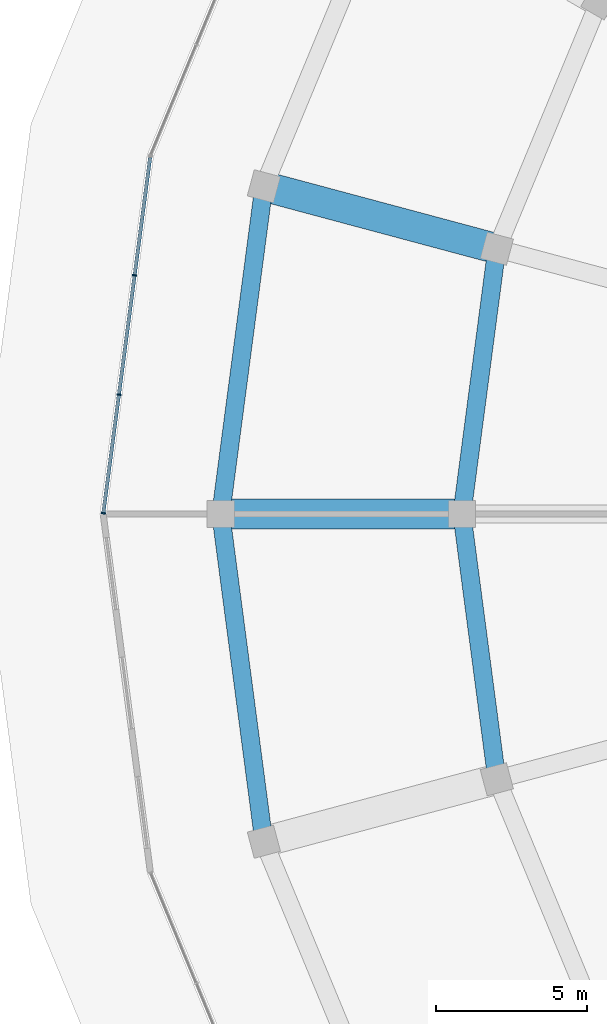
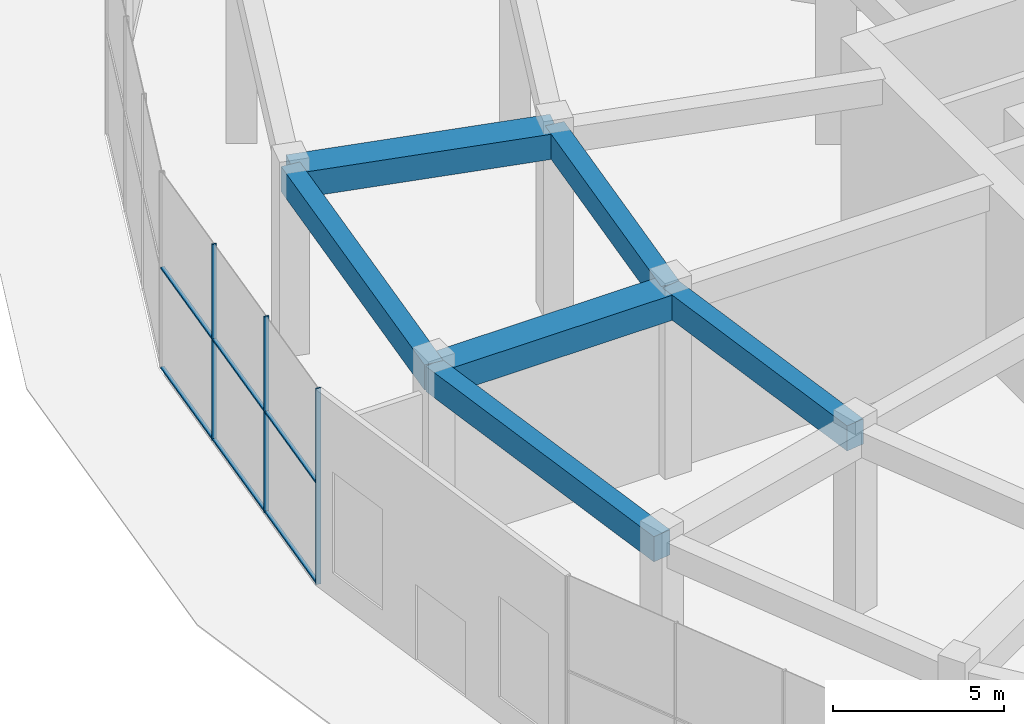
# One storey, part 10 of 31: 9 members, 6 beams, 1 element without a shape of its own.
"""IFC4 building model written with IfcOpenShell, lengths in metres."""

from ifc_helpers import new_model, si_unit, direction, frame, origin, origin_2d, place, context, subcontext, project, spatial, rectangle, extrude, material, layer, layer_set, material_profile, profile_set, type_object, element, aggregate, save


model = new_model("IFC4")

# Units and contexts
model_context = context("Model", 3, precision=1e-05, world=origin(), true_north=direction((0.0, 1.0)))
body_context = subcontext(model_context, "Body", "Model", "MODEL_VIEW")
ifc_project = project(units=[si_unit("LENGTHUNIT", "METRE"), si_unit("AREAUNIT", "SQUARE_METRE"), si_unit("VOLUMEUNIT", "CUBIC_METRE"), si_unit("PLANEANGLEUNIT", "RADIAN"), si_unit("MASSUNIT", "GRAM", prefix="KILO")], contexts=[model_context])

# Site, building, storey
site_placement = place(None, origin())
site = spatial("IfcSite", under=ifc_project, at=site_placement, CompositionType="ELEMENT")
building_placement = place(site_placement, origin())
building = spatial("IfcBuilding", under=site, at=building_placement, Name="Torre Brocal", CompositionType="ELEMENT")
storey_placement = place(building_placement, origin())
storey = spatial("IfcBuildingStorey", under=building, at=storey_placement, Name="L00", CompositionType="ELEMENT", Elevation=0.0)

# Curtain wall, members
ifc_material_1 = material(Name="Aluminium and glass", Category="aluminium")
ifc_layer = layer(ifc_material_1, 0.199951171875)
ifc_layer_set = layer_set([ifc_layer], Name="Aluminium and glass")
curtain_wall_type = type_object("IfcCurtainWallType", Name="CW-3 CURTAIN WALL 7000 HIGH", PredefinedType="NOTDEFINED", material=ifc_layer_set)
curtain_wall_placement = place(storey_placement, origin())
curtain_wall = element("IfcCurtainWall", 1, at=curtain_wall_placement, inside=storey, type_object=curtain_wall_type, Name="CW-3 RUN 12", PredefinedType="NOTDEFINED")
ifc_material_2 = material(Name="Aluminium, dark anodised", Category="aluminium")
ifc_material_profile_1 = material_profile(ifc_material_2, rectangle(XDim=0.14990234375, YDim=0.050048828125, at=origin_2d()), Name="CW-3 MULLION 50X150")
ifc_profile_set_1 = profile_set([ifc_material_profile_1], Name="Aluminium, dark anodised")
member_type_1 = type_object("IfcMemberType", Name="CW-3 MULLION 50X150", PredefinedType="MULLION", material=ifc_profile_set_1)
member_1_placement = place(storey_placement, frame((35.1435546875, 82.919677734375, 0.0), z_axis=(0.0, 0.0, 1.0), x_axis=(0.991444861372, -0.130526192237, 0.0)))
member_1 = element("IfcMember", 2, at=member_1_placement, type_object=member_type_1, Name="CW3-1 mullion 2", PredefinedType="MULLION", context=body_context, shape_type="SweptSolid", body=[
    extrude(rectangle(XDim=0.14990234375, YDim=0.050048828125, at=origin_2d()), origin(), (0.0, 0.0, 1.0), 7.0),
])
member_2_placement = place(storey_placement, frame((34.6220703125, 78.9599609375, 0.0), z_axis=(0.0, 0.0, 1.0), x_axis=(0.991444861372, -0.130526192237, 0.0)))
member_2 = element("IfcMember", 3, at=member_2_placement, type_object=member_type_1, Name="CW3-1 mullion 3", PredefinedType="MULLION", context=body_context, shape_type="SweptSolid", body=[
    extrude(rectangle(XDim=0.14990234375, YDim=0.050048828125, at=origin_2d()), origin(), (0.0, 0.0, 1.0), 7.0),
])
member_3_placement = place(storey_placement, frame((34.104248046875, 75.02490234375, 0.0), z_axis=(0.0, 0.0, 1.0), x_axis=(0.991444861372, -0.130526192237, 0.0)))
member_3 = element("IfcMember", 4, at=member_3_placement, type_object=member_type_1, Name="CW3-1 mullion 4", PredefinedType="MULLION", context=body_context, shape_type="SweptSolid", body=[
    extrude(rectangle(XDim=0.14990234375, YDim=0.050048828125, at=origin_2d()), origin(), (0.0, 0.0, 1.0), 7.0),
])
ifc_material_3 = material(Name="Aluminium, dark anodised", Category="aluminium")
ifc_material_profile_2 = material_profile(ifc_material_3, rectangle(XDim=0.1201171875, YDim=0.06005859375, at=origin_2d()), Name="CW-3 TRANSOM 120X60")
ifc_profile_set_2 = profile_set([ifc_material_profile_2], Name="Aluminium, dark anodised")
member_type_2 = type_object("IfcMemberType", Name="CW-3 TRANSOM 120X60", PredefinedType="USERDEFINED", material=ifc_profile_set_2)
member_4_placement = place(storey_placement, frame((35.658203125, 86.830078125, 0.030029296875), z_axis=(-0.130510914119, -0.991446872654, 0.0), x_axis=(0.991446872654, -0.130510914119, 0.0)))
member_4 = element("IfcMember", 5, at=member_4_placement, type_object=member_type_2, Name="CW3-1 transom 1.1", ObjectType="TRANSOM", PredefinedType="USERDEFINED", context=body_context, shape_type="SweptSolid", body=[
    extrude(rectangle(XDim=0.1201171875, YDim=0.06005859375, at=origin_2d()), origin(), (0.0, 0.0, 1.0), 3.9189453125),
])
member_5_placement = place(storey_placement, frame((35.658203125, 86.830078125, 3.60009765625), z_axis=(-0.130510914119, -0.991446872654, 0.0), x_axis=(0.991446872654, -0.130510914119, 0.0)))
member_5 = element("IfcMember", 6, at=member_5_placement, type_object=member_type_2, Name="CW3-1 transom 1.2", ObjectType="TRANSOM", PredefinedType="USERDEFINED", context=body_context, shape_type="SweptSolid", body=[
    extrude(rectangle(XDim=0.1201171875, YDim=0.06005859375, at=origin_2d()), origin(), (0.0, 0.0, 1.0), 3.9189453125),
])
member_6_placement = place(storey_placement, frame((35.14013671875, 82.89501953125, 0.030029296875), z_axis=(-0.130484935729, -0.991450292021, 0.0), x_axis=(0.991450292021, -0.130484935729, 0.0)))
member_6 = element("IfcMember", 7, at=member_6_placement, type_object=member_type_2, Name="CW3-1 transom 2.1", ObjectType="TRANSOM", PredefinedType="USERDEFINED", context=body_context, shape_type="SweptSolid", body=[
    extrude(rectangle(XDim=0.1201171875, YDim=0.06005859375, at=origin_2d()), origin(), (0.0, 0.0, 1.0), 3.944091796875),
])
member_7_placement = place(storey_placement, frame((35.14013671875, 82.89501953125, 3.60009765625), z_axis=(-0.130484935729, -0.991450292021, 0.0), x_axis=(0.991450292021, -0.130484935729, 0.0)))
member_7 = element("IfcMember", 8, at=member_7_placement, type_object=member_type_2, Name="CW3-1 transom 2.2", ObjectType="TRANSOM", PredefinedType="USERDEFINED", context=body_context, shape_type="SweptSolid", body=[
    extrude(rectangle(XDim=0.1201171875, YDim=0.06005859375, at=origin_2d()), origin(), (0.0, 0.0, 1.0), 3.944091796875),
])
member_8_placement = place(storey_placement, frame((34.618896484375, 78.93505859375, 0.030029296875), z_axis=(-0.130510914119, -0.991446872654, 0.0), x_axis=(0.991446872654, -0.130510914119, 0.0)))
member_8 = element("IfcMember", 9, at=member_8_placement, type_object=member_type_2, Name="CW3-1 transom 3.1", ObjectType="TRANSOM", PredefinedType="USERDEFINED", context=body_context, shape_type="SweptSolid", body=[
    extrude(rectangle(XDim=0.1201171875, YDim=0.06005859375, at=origin_2d()), origin(), (0.0, 0.0, 1.0), 3.9189453125),
])
member_9_placement = place(storey_placement, frame((34.618896484375, 78.93505859375, 3.60009765625), z_axis=(-0.130510914119, -0.991446872654, 0.0), x_axis=(0.991446872654, -0.130510914119, 0.0)))
member_9 = element("IfcMember", 10, at=member_9_placement, type_object=member_type_2, Name="CW3-1 transom 3.2", ObjectType="TRANSOM", PredefinedType="USERDEFINED", context=body_context, shape_type="SweptSolid", body=[
    extrude(rectangle(XDim=0.1201171875, YDim=0.06005859375, at=origin_2d()), origin(), (0.0, 0.0, 1.0), 3.9189453125),
])
aggregate(curtain_wall, [member_1, member_2, member_3, member_4, member_5, member_6, member_7, member_8, member_9])

# Beams
ifc_material_4 = material(Name="Concrete C50", Category="concrete")
ifc_material_profile_3 = material_profile(ifc_material_4, rectangle(XDim=0.60009765625, YDim=0.89990234375, at=origin_2d()), Name="RC 600X900")
ifc_profile_set_3 = profile_set([ifc_material_profile_3], Name="Concrete C50")
beam_type_1 = type_object("IfcBeamType", Name="RC BEAM 600X900 C50 TOP 6550", PredefinedType="BEAM", material=ifc_profile_set_3)
for number, where, z_axis, x_axis, name in (
    (11, (39.43115234375, 85.870361328125, 6.10009765625), (-0.130529968843, -0.991444364165, 0.0), (0.991444364165, -0.130529968843, 0.0), "Beam BT-07"),
    (12, (38.0, 75.0, 6.10009765625), (0.130529968843, -0.991444364165, 0.0), (0.991444364165, 0.130529968843, 0.0), "Beam BT-07"),
):
    element("IfcBeam", number, at=place(storey_placement, frame(where, z_axis=z_axis, x_axis=x_axis)), inside=storey, type_object=beam_type_1, Name=name, PredefinedType="BEAM", context=body_context, shape_type="SweptSolid", body=[
        extrude(rectangle(XDim=0.60009765625, YDim=0.89990234375, at=origin_2d()), origin(), (0.0, 0.0, 1.0), 10.964111328125),
    ])
for number, where, z_axis, x_axis, name in (
    (13, (47.158447265625, 83.7998046875, 6.10009765625), (-0.130518550679, -0.991445867372, 0.0), (0.991445867372, -0.130518550679, 0.0), "Beam BT-07"),
    (14, (46.0, 75.0, 6.10009765625), (0.130518550679, -0.991445867372, 0.0), (0.991445867372, 0.130518550679, 0.0), "Beam BT-07"),
):
    element("IfcBeam", number, at=place(storey_placement, frame(where, z_axis=z_axis, x_axis=x_axis)), inside=storey, type_object=beam_type_1, Name=name, PredefinedType="BEAM", context=body_context, shape_type="SweptSolid", body=[
        extrude(rectangle(XDim=0.60009765625, YDim=0.89990234375, at=origin_2d()), origin(), (0.0, 0.0, 1.0), 8.875732421875),
    ])
ifc_material_5 = material(Name="Concrete C60", Category="concrete")
ifc_material_profile_4 = material_profile(ifc_material_5, rectangle(XDim=1.0, YDim=0.89990234375, at=origin_2d()), Name="RC 1000X900")
ifc_profile_set_4 = profile_set([ifc_material_profile_4], Name="Concrete C60")
beam_type_2 = type_object("IfcBeamType", Name="RC TRANSFER GIRDER 1000X900 C60 TOP 6550", PredefinedType="BEAM", material=ifc_profile_set_4)
for number, where, z_axis, x_axis, name in (
    (15, (46.0, 75.0, 6.10009765625), (-1.0, 0.0, 0.0), (0.0, -1.0, 0.0), "Beam TG-01"),
    (16, (47.158447265625, 83.7998046875, 6.10009765625), (-0.965924757309, 0.258823034556, 0.0), (-0.258823034556, -0.965924757309, 0.0), "Beam TG-01"),
):
    element("IfcBeam", number, at=place(storey_placement, frame(where, z_axis=z_axis, x_axis=x_axis)), inside=storey, type_object=beam_type_2, Name=name, PredefinedType="BEAM", context=body_context, shape_type="SweptSolid", body=[
        extrude(rectangle(XDim=1.0, YDim=0.89990234375, at=origin_2d()), origin(), (0.0, 0.0, 1.0), 8.0),
    ])

save(model, "model.ifc")
